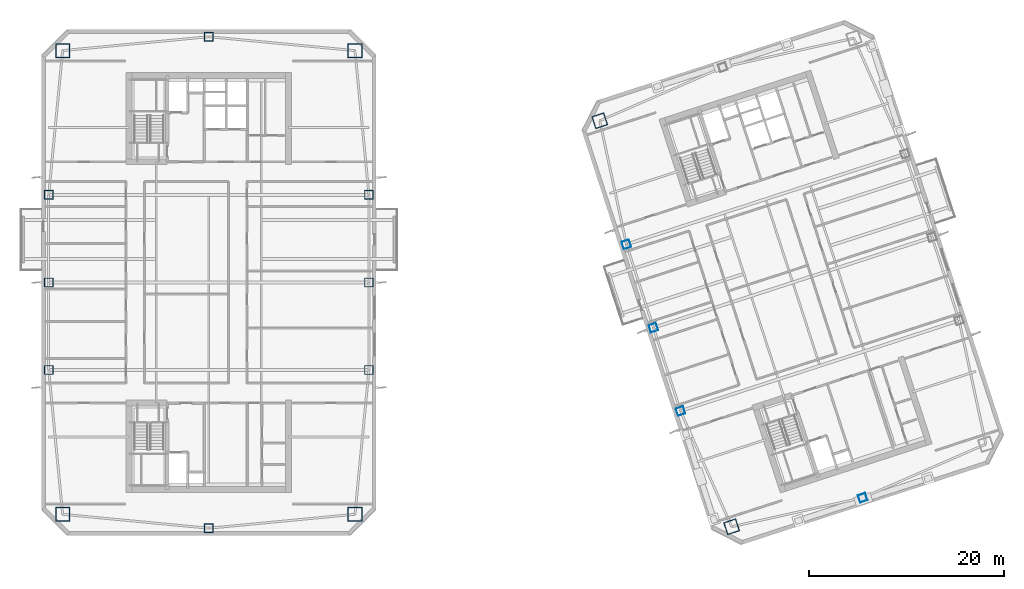
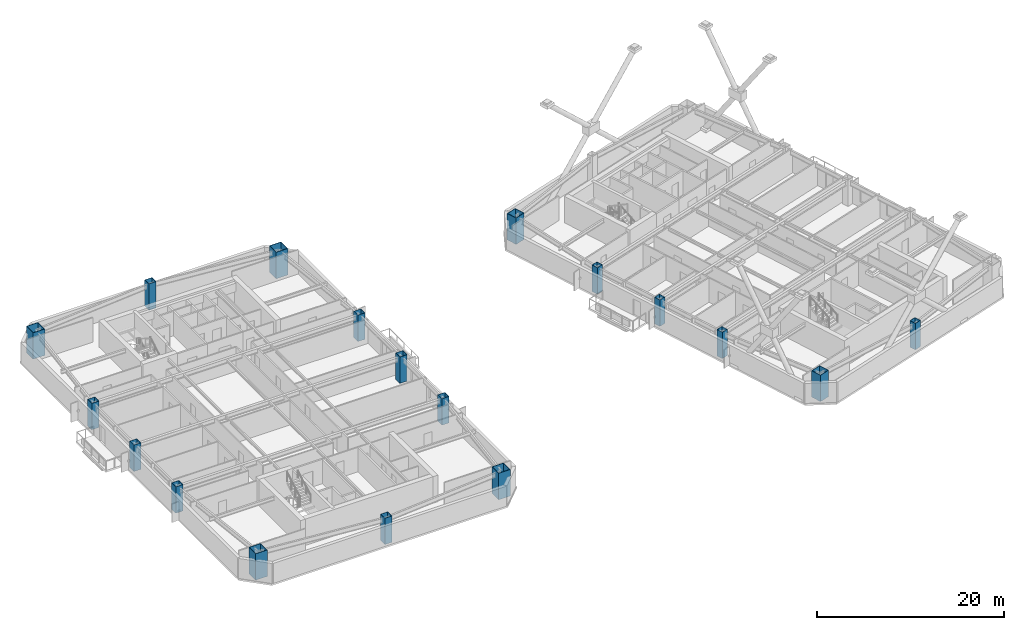
# One storey, part 1 of 18: 18 columns.
"""IFC4 building model written with IfcOpenShell, lengths in metres."""

from ifc_helpers import new_model, si_unit, direction, frame, origin, origin_2d, place, context, subcontext, project, spatial, hollow_rectangle, extrude, material, material_profile, profile_set, type_object, element, save


model = new_model("IFC4")

# Units and contexts
model_context = context("Model", 3, precision=1e-05, world=origin(), true_north=direction((0.0, 1.0)))
body_context = subcontext(model_context, "Body", "Model", "MODEL_VIEW")
ifc_project = project(units=[si_unit("LENGTHUNIT", "METRE"), si_unit("AREAUNIT", "SQUARE_METRE"), si_unit("VOLUMEUNIT", "CUBIC_METRE"), si_unit("PLANEANGLEUNIT", "RADIAN"), si_unit("MASSUNIT", "GRAM", prefix="KILO")], contexts=[model_context])

# Site, building, storey
site_placement = place(None, origin())
site = spatial("IfcSite", under=ifc_project, at=site_placement, CompositionType="ELEMENT")
building_placement = place(site_placement, origin())
building = spatial("IfcBuilding", under=site, at=building_placement, Name="Qiaolan Cultural Towers", CompositionType="ELEMENT")
storey_placement = place(building_placement, frame((0.0, 0.0, 163.300048828125)))
storey = spatial("IfcBuildingStorey", under=building, at=storey_placement, Name="L43", CompositionType="ELEMENT", Elevation=163.300048828125)

# Columns
ifc_material_1 = material(Name="Steel Q390GJB", Category="steel")
ifc_material_profile_1 = material_profile(ifc_material_1, hollow_rectangle(XDim=1.300048828125, YDim=1.300048828125, WallThickness=0.044921875, at=origin_2d()), Name="BOX1300x1300x45")
ifc_profile_set_1 = profile_set([ifc_material_profile_1], Name="Steel Q390GJB")
column_type_1 = type_object("IfcColumnType", Name="COL-BOX1300x1300x45", PredefinedType="COLUMN", material=ifc_profile_set_1)
for number, where, z_axis, x_axis, name in (
    (1, (83.71875, 8.900634765625, 0.0), (0.0, 0.0, 1.0), (0.951056516295, 0.309016994375, 0.0), "L43 T2 Perimeter Column MC-SW"),
    (2, (70.165283203125, 50.61376953125, 0.0), (0.0, 0.0, 1.0), (0.951056516295, 0.309016994375, 0.0), "L43 T2 Perimeter Column MC-NW"),
):
    element("IfcColumn", number, at=place(storey_placement, frame(where, z_axis=z_axis, x_axis=x_axis)), inside=storey, type_object=column_type_1, Name=name, PredefinedType="COLUMN", context=body_context, shape_type="SweptSolid", body=[
        extrude(hollow_rectangle(XDim=1.300048828125, YDim=1.300048828125, WallThickness=0.044921875, at=origin_2d()), origin(), (0.0, 0.0, 1.0), 3.450927734375),
    ])
ifc_material_2 = material(Name="Steel Q420GJB", Category="steel")
ifc_material_profile_2 = material_profile(ifc_material_2, hollow_rectangle(XDim=1.449951171875, YDim=1.449951171875, WallThickness=0.050048828125, at=origin_2d()), Name="BOX1450x1450x50")
ifc_profile_set_2 = profile_set([ifc_material_profile_2], Name="Steel Q420GJB")
column_type_2 = type_object("IfcColumnType", Name="COL-BOX1450x1450x50", PredefinedType="COLUMN", material=ifc_profile_set_2)
for number, where, z_axis, x_axis, name in (
    (3, (14.97998046875, 10.179931640625, 0.0), (0.0, 0.0, 1.0), (1.0, 0.0, 0.0), "L43 T1 Perimeter Column MC-SW"),
    (4, (45.02001953125, 10.179931640625, 0.0), (0.0, 0.0, 1.0), (1.0, 0.0, 0.0), "L43 T1 Perimeter Column MC-SE"),
    (5, (45.02001953125, 57.820068359375, 0.0), (0.0, 0.0, 1.0), (1.0, 0.0, 0.0), "L43 T1 Perimeter Column MC-NE"),
    (6, (14.97998046875, 57.820068359375, 0.0), (0.0, 0.0, 1.0), (1.0, 0.0, 0.0), "L43 T1 Perimeter Column MC-NW"),
):
    element("IfcColumn", number, at=place(storey_placement, frame(where, z_axis=z_axis, x_axis=x_axis)), inside=storey, type_object=column_type_2, Name=name, PredefinedType="COLUMN", context=body_context, shape_type="SweptSolid", body=[
        extrude(hollow_rectangle(XDim=1.449951171875, YDim=1.449951171875, WallThickness=0.050048828125, at=origin_2d()), origin(), (0.0, 0.0, 1.0), 3.450927734375),
    ])
ifc_material_3 = material(Name="Steel Q355B", Category="steel")
ifc_material_profile_3 = material_profile(ifc_material_3, hollow_rectangle(XDim=0.800048828125, YDim=0.800048828125, WallThickness=0.028076171875, at=origin_2d()), Name="BOX800x800x28")
ifc_profile_set_3 = profile_set([ifc_material_profile_3], Name="Steel Q355B")
column_type_3 = type_object("IfcColumnType", Name="COL-BOX800x800x28", PredefinedType="COLUMN", material=ifc_profile_set_3)
for number, where, z_axis, x_axis, name in (
    (7, (78.4677734375, 20.789794921875, 0.0), (0.0, 0.0, 1.0), (0.951056516295, 0.309016994375, 0.0), "L43 T2 Perimeter Column PC-W1"),
    (8, (75.6865234375, 29.349365234375, 0.0), (0.0, 0.0, 1.0), (0.951056516295, 0.309016994375, 0.0), "L43 T2 Perimeter Column PC-W2"),
    (9, (72.905517578125, 37.90869140625, 0.0), (0.0, 0.0, 1.0), (0.951056516295, 0.309016994375, 0.0), "L43 T2 Perimeter Column PC-W3"),
    (10, (97.1845703125, 11.887939453125, 0.0), (0.0, 0.0, 1.0), (0.951056516295, 0.309016994375, 0.0), "L43 T2 Perimeter Column PC-S0"),
):
    element("IfcColumn", number, at=place(storey_placement, frame(where, z_axis=z_axis, x_axis=x_axis)), inside=storey, type_object=column_type_3, Name=name, PredefinedType="COLUMN", context=body_context, shape_type="SweptSolid", body=[
        extrude(hollow_rectangle(XDim=0.800048828125, YDim=0.800048828125, WallThickness=0.028076171875, at=origin_2d()), origin(), (0.0, 0.0, 1.0), 3.450927734375),
    ])
ifc_material_4 = material(Name="Steel Q355B", Category="steel")
ifc_material_profile_4 = material_profile(ifc_material_4, hollow_rectangle(XDim=0.89990234375, YDim=0.89990234375, WallThickness=0.031982421875, at=origin_2d()), Name="BOX900x900x32")
ifc_profile_set_4 = profile_set([ifc_material_profile_4], Name="Steel Q355B")
column_type_4 = type_object("IfcColumnType", Name="COL-BOX900x900x32", PredefinedType="COLUMN", material=ifc_profile_set_4)
for number, where, z_axis, x_axis, name in (
    (11, (13.550048828125, 25.0, 0.0), (0.0, 0.0, 1.0), (1.0, 0.0, 0.0), "L43 T1 Perimeter Column PC-W1"),
    (12, (13.550048828125, 34.0, 0.0), (0.0, 0.0, 1.0), (1.0, 0.0, 0.0), "L43 T1 Perimeter Column PC-W2"),
    (13, (13.550048828125, 43.0, 0.0), (0.0, 0.0, 1.0), (1.0, 0.0, 0.0), "L43 T1 Perimeter Column PC-W3"),
    (14, (46.449951171875, 25.0, 0.0), (0.0, 0.0, 1.0), (1.0, 0.0, 0.0), "L43 T1 Perimeter Column PC-E1"),
    (15, (46.449951171875, 34.0, 0.0), (0.0, 0.0, 1.0), (1.0, 0.0, 0.0), "L43 T1 Perimeter Column PC-E2"),
    (16, (46.449951171875, 43.0, 0.0), (0.0, 0.0, 1.0), (1.0, 0.0, 0.0), "L43 T1 Perimeter Column PC-E3"),
    (17, (30.0, 8.75, 0.0), (0.0, 0.0, 1.0), (1.0, 0.0, 0.0), "L43 T1 Perimeter Column PC-S0"),
    (18, (30.0, 59.25, 0.0), (0.0, 0.0, 1.0), (1.0, 0.0, 0.0), "L43 T1 Perimeter Column PC-N0"),
):
    element("IfcColumn", number, at=place(storey_placement, frame(where, z_axis=z_axis, x_axis=x_axis)), inside=storey, type_object=column_type_4, Name=name, PredefinedType="COLUMN", context=body_context, shape_type="SweptSolid", body=[
        extrude(hollow_rectangle(XDim=0.89990234375, YDim=0.89990234375, WallThickness=0.031982421875, at=origin_2d()), origin(), (0.0, 0.0, 1.0), 3.450927734375),
    ])

save(model, "model.ifc")
